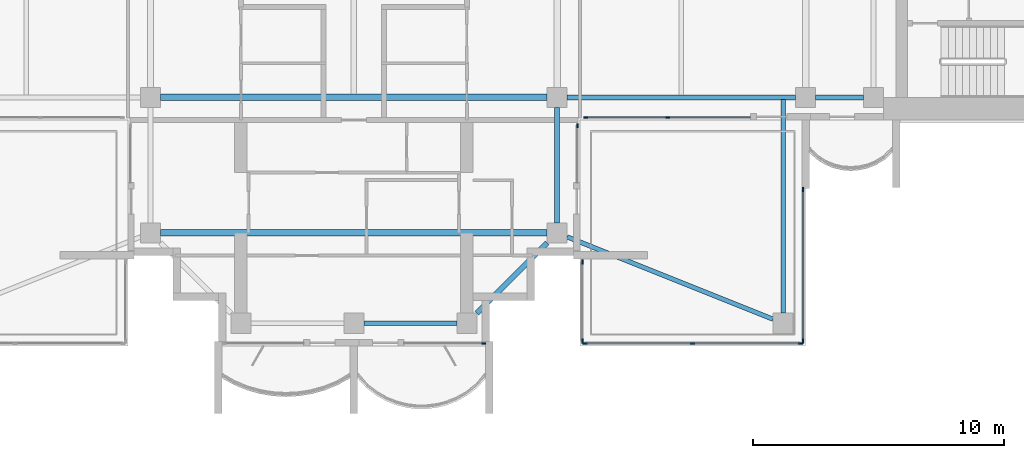
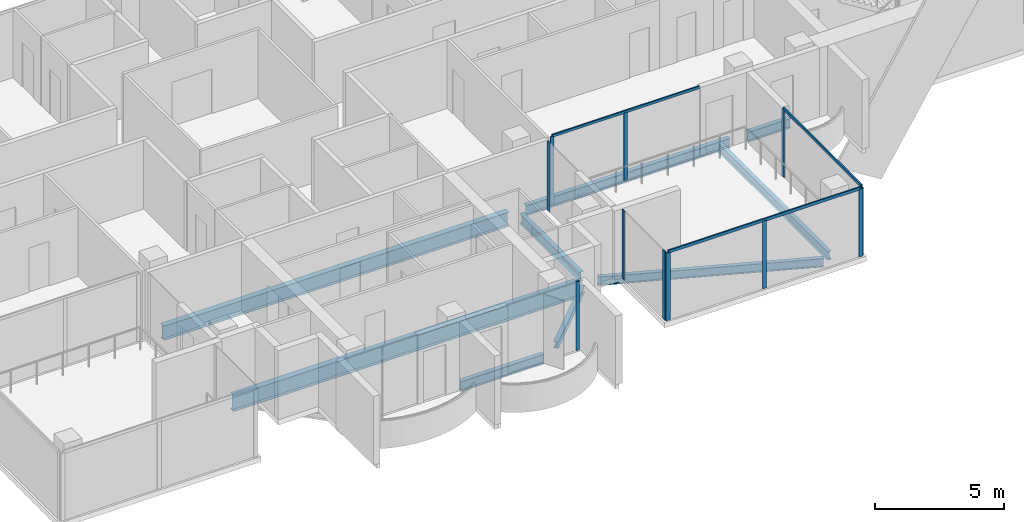
# One storey, part 3 of 16: 14 members, 9 beams, 6 elements without a shape of their own.
"""IFC4 building model written with IfcOpenShell, lengths in metres."""

from ifc_helpers import new_model, si_unit, direction, frame, origin, origin_2d, place, context, subcontext, project, spatial, rectangle, i_section, extrude, material, material_profile, profile_set, type_object, element, aggregate, save


model = new_model("IFC4")

# Units and contexts
model_context = context("Model", 3, precision=1e-05, world=origin(), true_north=direction((0.0, 1.0)))
body_context = subcontext(model_context, "Body", "Model", "MODEL_VIEW")
ifc_project = project(units=[si_unit("LENGTHUNIT", "METRE"), si_unit("AREAUNIT", "SQUARE_METRE"), si_unit("VOLUMEUNIT", "CUBIC_METRE"), si_unit("PLANEANGLEUNIT", "RADIAN"), si_unit("MASSUNIT", "GRAM", prefix="KILO")], contexts=[model_context])

# Site, building, storey
site_placement = place(None, origin())
site = spatial("IfcSite", under=ifc_project, at=site_placement, CompositionType="ELEMENT")
building_placement = place(site_placement, origin())
building = spatial("IfcBuilding", under=site, at=building_placement, Name="Perihelion Cross Residences", CompositionType="ELEMENT")
storey_placement = place(building_placement, frame((0.0, 0.0, 239.5)))
storey = spatial("IfcBuildingStorey", under=building, at=storey_placement, Name="L60", CompositionType="ELEMENT", Elevation=239.5)

# Curtain wall, member
ifc_material_1 = material(Name="Bronze anodised aluminium, tinted glazing", Category="aluminium")
curtain_wall_type_1 = type_object("IfcCurtainWallType", Name="CW1", PredefinedType="NOTDEFINED", material=ifc_material_1)
curtain_wall_1_placement = place(storey_placement, origin())
curtain_wall_1 = element("IfcCurtainWall", 1, at=curtain_wall_1_placement, inside=storey, type_object=curtain_wall_type_1, Name="Curtain wall CW1 L60 south tip south bay 2", PredefinedType="NOTDEFINED")
ifc_material_2 = material(Name="Bronze anodised aluminium", Category="aluminium")
ifc_material_profile_1 = material_profile(ifc_material_2, rectangle(XDim=0.06005859375, YDim=0.159912109375, at=origin_2d()), Name="CW1 mullion")
ifc_profile_set_1 = profile_set([ifc_material_profile_1], Name="Bronze anodised aluminium")
member_type_1 = type_object("IfcMemberType", Name="CW1 mullion", PredefinedType="MULLION", material=ifc_profile_set_1)
member_1_placement = place(storey_placement, frame((5.169921875, -17.89990234375, 0.0), z_axis=(0.0, 0.0, 1.0), x_axis=(0.0, 1.0, 0.0)))
member_1 = element("IfcMember", 2, at=member_1_placement, type_object=member_type_1, Name="CW1 mullion 2", PredefinedType="MULLION", context=body_context, shape_type="SweptSolid", body=[
    extrude(rectangle(XDim=0.06005859375, YDim=0.159912109375, at=origin_2d()), origin(), (0.0, 0.0, 1.0), 3.25),
])
aggregate(curtain_wall_1, [member_1])

curtain_wall_2_placement = place(storey_placement, origin())
curtain_wall_2 = element("IfcCurtainWall", 3, at=curtain_wall_2_placement, inside=storey, type_object=curtain_wall_type_1, Name="Curtain wall CW1 L60 south side east bay 1", PredefinedType="NOTDEFINED")
member_2_placement = place(storey_placement, frame((8.89990234375, -9.22998046875, 0.0), z_axis=(0.0, 0.0, 1.0), x_axis=(-1.0, 0.0, 0.0)))
member_2 = element("IfcMember", 4, at=member_2_placement, type_object=member_type_1, Name="CW1 mullion 2", PredefinedType="MULLION", context=body_context, shape_type="SweptSolid", body=[
    extrude(rectangle(XDim=0.06005859375, YDim=0.159912109375, at=origin_2d()), origin(), (0.0, 0.0, 1.0), 3.25),
])
aggregate(curtain_wall_2, [member_2])

# Curtain wall, members
curtain_wall_3_placement = place(storey_placement, origin())
curtain_wall_3 = element("IfcCurtainWall", 5, at=curtain_wall_3_placement, inside=storey, type_object=curtain_wall_type_1, Name="Curtain wall CW1 L60 east side south bay 1", PredefinedType="NOTDEFINED")
member_3_placement = place(storey_placement, frame((9.22998046875, -8.89990234375, 0.0), z_axis=(0.0, 0.0, 1.0), x_axis=(0.0, 1.0, 0.0)))
member_3 = element("IfcMember", 6, at=member_3_placement, type_object=member_type_1, Name="CW1 mullion 1", PredefinedType="MULLION", context=body_context, shape_type="SweptSolid", body=[
    extrude(rectangle(XDim=0.06005859375, YDim=0.159912109375, at=origin_2d()), origin(), (0.0, 0.0, 1.0), 3.18994140625),
])
member_4_placement = place(storey_placement, frame((12.5, -8.89990234375, 0.0), z_axis=(0.0, 0.0, 1.0), x_axis=(0.0, 1.0, 0.0)))
member_4 = element("IfcMember", 7, at=member_4_placement, type_object=member_type_1, Name="CW1 mullion 2", PredefinedType="MULLION", context=body_context, shape_type="SweptSolid", body=[
    extrude(rectangle(XDim=0.06005859375, YDim=0.159912109375, at=origin_2d()), origin(), (0.0, 0.0, 1.0), 3.18994140625),
])
ifc_material_3 = material(Name="Bronze anodised aluminium", Category="aluminium")
ifc_material_profile_2 = material_profile(ifc_material_3, rectangle(XDim=0.06005859375, YDim=0.1201171875, at=origin_2d()), Name="CW1 transom")
ifc_profile_set_2 = profile_set([ifc_material_profile_2], Name="Bronze anodised aluminium")
member_type_2 = type_object("IfcMemberType", Name="CW1 transom", PredefinedType="USERDEFINED", material=ifc_profile_set_2)
member_5_placement = place(storey_placement, frame((9.22998046875, -8.89990234375, 3.219970703125), z_axis=(1.0, 0.0, 0.0), x_axis=(0.0, 1.0, 0.0)))
member_5 = element("IfcMember", 8, at=member_5_placement, type_object=member_type_2, Name="CW1 head transom", ObjectType="TRANSOM", PredefinedType="USERDEFINED", context=body_context, shape_type="SweptSolid", body=[
    extrude(rectangle(XDim=0.06005859375, YDim=0.1201171875, at=origin_2d()), origin(), (0.0, 0.0, 1.0), 6.570068359375),
])
aggregate(curtain_wall_3, [member_3, member_4, member_5])

ifc_material_4 = material(Name="Bronze anodised aluminium, tinted glazing", Category="aluminium")
curtain_wall_type_2 = type_object("IfcCurtainWallType", Name="CW4", PredefinedType="NOTDEFINED", material=ifc_material_4)
curtain_wall_4_placement = place(storey_placement, origin())
curtain_wall_4 = element("IfcCurtainWall", 9, at=curtain_wall_4_placement, inside=storey, type_object=curtain_wall_type_2, Name="Curtain wall CW4 L60 pocket south-east 1 1", PredefinedType="NOTDEFINED")
ifc_material_5 = material(Name="Bronze anodised aluminium", Category="aluminium")
ifc_material_profile_3 = material_profile(ifc_material_5, rectangle(XDim=0.06005859375, YDim=0.179931640625, at=origin_2d()), Name="CW4 mullion")
ifc_profile_set_3 = profile_set([ifc_material_profile_3], Name="Bronze anodised aluminium")
member_type_3 = type_object("IfcMemberType", Name="CW4 mullion", PredefinedType="MULLION", material=ifc_profile_set_3)
member_6_placement = place(storey_placement, frame((17.89990234375, -11.77001953125, 0.0), z_axis=(0.0, 0.0, 1.0), x_axis=(1.0, 0.0, 0.0)))
member_6 = element("IfcMember", 10, at=member_6_placement, type_object=member_type_3, Name="CW4 mullion 1", PredefinedType="MULLION", context=body_context, shape_type="SweptSolid", body=[
    extrude(rectangle(XDim=0.06005859375, YDim=0.179931640625, at=origin_2d()), origin(), (0.0, 0.0, 1.0), 3.18994140625),
])
member_7_placement = place(storey_placement, frame((17.89990234375, -17.800048828125, 0.0), z_axis=(0.0, 0.0, 1.0), x_axis=(1.0, 0.0, 0.0)))
member_7 = element("IfcMember", 11, at=member_7_placement, type_object=member_type_3, Name="CW4 mullion 2", PredefinedType="MULLION", context=body_context, shape_type="SweptSolid", body=[
    extrude(rectangle(XDim=0.06005859375, YDim=0.179931640625, at=origin_2d()), origin(), (0.0, 0.0, 1.0), 3.18994140625),
])

curtain_wall_5_placement = place(storey_placement, origin())
curtain_wall_5 = element("IfcCurtainWall", 12, at=curtain_wall_5_placement, inside=storey, type_object=curtain_wall_type_2, Name="Curtain wall CW4 L60 pocket south-east 1 2", PredefinedType="NOTDEFINED")
member_8_placement = place(storey_placement, frame((17.800048828125, -17.89990234375, 0.0), z_axis=(0.0, 0.0, 1.0), x_axis=(0.0, -1.0, 0.0)))
member_8 = element("IfcMember", 13, at=member_8_placement, type_object=member_type_3, Name="CW4 mullion 1", PredefinedType="MULLION", context=body_context, shape_type="SweptSolid", body=[
    extrude(rectangle(XDim=0.06005859375, YDim=0.179931640625, at=origin_2d()), origin(), (0.0, 0.0, 1.0), 3.18994140625),
])
member_9_placement = place(storey_placement, frame((13.5, -17.89990234375, 0.0), z_axis=(0.0, 0.0, 1.0), x_axis=(0.0, -1.0, 0.0)))
member_9 = element("IfcMember", 14, at=member_9_placement, type_object=member_type_3, Name="CW4 mullion 2", PredefinedType="MULLION", context=body_context, shape_type="SweptSolid", body=[
    extrude(rectangle(XDim=0.06005859375, YDim=0.179931640625, at=origin_2d()), origin(), (0.0, 0.0, 1.0), 3.18994140625),
])
member_10_placement = place(storey_placement, frame((9.199951171875, -17.89990234375, 0.0), z_axis=(0.0, 0.0, 1.0), x_axis=(0.0, -1.0, 0.0)))
member_10 = element("IfcMember", 15, at=member_10_placement, type_object=member_type_3, Name="CW4 mullion 3", PredefinedType="MULLION", context=body_context, shape_type="SweptSolid", body=[
    extrude(rectangle(XDim=0.06005859375, YDim=0.179931640625, at=origin_2d()), origin(), (0.0, 0.0, 1.0), 3.18994140625),
])

curtain_wall_6_placement = place(storey_placement, origin())
curtain_wall_6 = element("IfcCurtainWall", 16, at=curtain_wall_6_placement, inside=storey, type_object=curtain_wall_type_2, Name="Curtain wall CW4 L60 pocket south-east 1 3", PredefinedType="NOTDEFINED")
member_11_placement = place(storey_placement, frame((9.10009765625, -17.800048828125, 0.0), z_axis=(0.0, 0.0, 1.0), x_axis=(-1.0, 0.0, 0.0)))
member_11 = element("IfcMember", 17, at=member_11_placement, type_object=member_type_3, Name="CW4 mullion 1", PredefinedType="MULLION", context=body_context, shape_type="SweptSolid", body=[
    extrude(rectangle(XDim=0.06005859375, YDim=0.179931640625, at=origin_2d()), origin(), (0.0, 0.0, 1.0), 3.25),
])
member_12_placement = place(storey_placement, frame((9.10009765625, -14.658935546875, 0.0), z_axis=(0.0, 0.0, 1.0), x_axis=(-1.0, 0.0, 0.0)))
member_12 = element("IfcMember", 18, at=member_12_placement, type_object=member_type_3, Name="CW4 mullion 2", PredefinedType="MULLION", context=body_context, shape_type="SweptSolid", body=[
    extrude(rectangle(XDim=0.06005859375, YDim=0.179931640625, at=origin_2d()), origin(), (0.0, 0.0, 1.0), 3.25),
])
aggregate(curtain_wall_6, [member_11, member_12])

# Member
ifc_material_6 = material(Name="Bronze anodised aluminium", Category="aluminium")
ifc_material_profile_4 = material_profile(ifc_material_6, rectangle(XDim=0.06005859375, YDim=0.139892578125, at=origin_2d()), Name="CW4 transom")
ifc_profile_set_4 = profile_set([ifc_material_profile_4], Name="Bronze anodised aluminium")
member_type_4 = type_object("IfcMemberType", Name="CW4 transom", PredefinedType="USERDEFINED", material=ifc_profile_set_4)
member_13_placement = place(storey_placement, frame((17.89990234375, -11.77001953125, 3.219970703125), z_axis=(0.0, -1.0, 0.0), x_axis=(1.0, 0.0, 0.0)))
member_13 = element("IfcMember", 19, at=member_13_placement, type_object=member_type_4, Name="CW4 head transom", ObjectType="TRANSOM", PredefinedType="USERDEFINED", context=body_context, shape_type="SweptSolid", body=[
    extrude(rectangle(XDim=0.06005859375, YDim=0.139892578125, at=origin_2d()), origin(), (0.0, 0.0, 1.0), 6.030029296875),
])

aggregate(curtain_wall_4, [member_6, member_7, member_13])

member_14_placement = place(storey_placement, frame((17.800048828125, -17.89990234375, 3.219970703125), z_axis=(-1.0, 0.0, 0.0), x_axis=(0.0, -1.0, 0.0)))
member_14 = element("IfcMember", 20, at=member_14_placement, type_object=member_type_4, Name="CW4 head transom", ObjectType="TRANSOM", PredefinedType="USERDEFINED", context=body_context, shape_type="SweptSolid", body=[
    extrude(rectangle(XDim=0.06005859375, YDim=0.139892578125, at=origin_2d()), origin(), (0.0, 0.0, 1.0), 8.60009765625),
])

aggregate(curtain_wall_5, [member_8, member_9, member_10, member_14])

# Beams
ifc_material_7 = material(Name="Steel S355", Category="steel")
ifc_material_profile_5 = material_profile(ifc_material_7, i_section(OverallWidth=0.177978515625, OverallDepth=0.406005859375, WebThickness=0.0078125, FlangeThickness=0.0126953125, at=origin_2d()), Name="W410x60")
ifc_profile_set_5 = profile_set([ifc_material_profile_5], Name="Steel S355")
beam_type_1 = type_object("IfcBeamType", Name="Core edge beam W410x60", PredefinedType="BEAM", material=ifc_profile_set_5)
beam_1_placement = place(storey_placement, frame((17.10009765625, -8.197021484375, -0.452880859375), z_axis=(0.0, -1.0, 0.0), x_axis=(1.0, 0.0, 0.0)))
element("IfcBeam", 21, at=beam_1_placement, inside=storey, type_object=beam_type_1, Name="Core edge beam TB2 L60 corner no. 3", PredefinedType="BEAM", context=body_context, shape_type="SweptSolid", body=[
    extrude(i_section(OverallWidth=0.177978515625, OverallDepth=0.406005859375, WebThickness=0.0078125, FlangeThickness=0.0126953125, at=origin_2d()), origin(), (0.0, 0.0, 1.0), 8.5029296875),
])
beam_2_placement = place(storey_placement, frame((8.5, -13.659912109375, -0.452880859375), z_axis=(0.928474784399, -0.371395442534, 0.0), x_axis=(0.371395442534, 0.928474784399, 0.0)))
element("IfcBeam", 22, at=beam_2_placement, inside=storey, type_object=beam_type_1, Name="Core edge beam TB2 L60 corner no. 4", PredefinedType="BEAM", context=body_context, shape_type="SweptSolid", body=[
    extrude(i_section(OverallWidth=0.177978515625, OverallDepth=0.406005859375, WebThickness=0.0078125, FlangeThickness=0.0126953125, at=origin_2d()), origin(), (0.0, 0.0, 1.0), 8.83154296875),
])
ifc_material_8 = material(Name="Steel S355", Category="steel")
ifc_material_profile_6 = material_profile(ifc_material_8, i_section(OverallWidth=0.194091796875, OverallDepth=0.469970703125, WebThickness=0.0126953125, FlangeThickness=0.0205078125, at=origin_2d()), Name="W460x106")
ifc_profile_set_6 = profile_set([ifc_material_profile_6], Name="Steel S355")
beam_type_2 = type_object("IfcBeamType", Name="Edge beam W460x106", PredefinedType="SPANDREL", material=ifc_profile_set_6)
beam_3_placement = place(storey_placement, frame((0.39990234375, -17.10009765625, -0.485107421875), z_axis=(1.0, 0.0, 0.0), x_axis=(0.0, 1.0, 0.0)))
element("IfcBeam", 23, at=beam_3_placement, inside=storey, type_object=beam_type_2, Name="Edge beam SB5 L60 no. 7", PredefinedType="SPANDREL", context=body_context, shape_type="SweptSolid", body=[
    extrude(i_section(OverallWidth=0.194091796875, OverallDepth=0.469970703125, WebThickness=0.0126953125, FlangeThickness=0.0205078125, at=origin_2d()), origin(), (0.0, 0.0, 1.0), 3.7001953125),
])
beam_4_placement = place(storey_placement, frame((8.10009765625, -13.10009765625, -0.485107421875), z_axis=(0.0, 1.0, 0.0), x_axis=(-1.0, 0.0, 0.0)))
element("IfcBeam", 24, at=beam_4_placement, inside=storey, type_object=beam_type_2, Name="Edge beam SB5 L60 no. 11", PredefinedType="SPANDREL", context=body_context, shape_type="SweptSolid", body=[
    extrude(i_section(OverallWidth=0.194091796875, OverallDepth=0.469970703125, WebThickness=0.0126953125, FlangeThickness=0.0205078125, at=origin_2d()), origin(), (0.0, 0.0, 1.0), 4.60009765625),
])
beam_5_placement = place(storey_placement, frame((8.5, -8.10009765625, -0.485107421875), z_axis=(1.0, 0.0, 0.0), x_axis=(0.0, 1.0, 0.0)))
element("IfcBeam", 25, at=beam_5_placement, inside=storey, type_object=beam_type_2, Name="Edge beam SB5 L60 no. 12", PredefinedType="SPANDREL", context=body_context, shape_type="SweptSolid", body=[
    extrude(i_section(OverallWidth=0.194091796875, OverallDepth=0.469970703125, WebThickness=0.0126953125, FlangeThickness=0.0205078125, at=origin_2d()), origin(), (0.0, 0.0, 1.0), 9.10009765625),
])
beam_6_placement = place(storey_placement, frame((18.39990234375, -8.10009765625, -0.485107421875), z_axis=(1.0, 0.0, 0.0), x_axis=(0.0, 1.0, 0.0)))
element("IfcBeam", 26, at=beam_6_placement, inside=storey, type_object=beam_type_2, Name="Edge beam SB5 L60 no. 8", PredefinedType="SPANDREL", context=body_context, shape_type="SweptSolid", body=[
    extrude(i_section(OverallWidth=0.194091796875, OverallDepth=0.469970703125, WebThickness=0.0126953125, FlangeThickness=0.0205078125, at=origin_2d()), origin(), (0.0, 0.0, 1.0), 1.900146484375),
])
ifc_material_9 = material(Name="Steel S355", Category="steel")
ifc_material_profile_7 = material_profile(ifc_material_9, i_section(OverallWidth=0.26708984375, OverallDepth=0.75390625, WebThickness=0.01318359375, FlangeThickness=0.01708984375, at=origin_2d()), Name="W760x147")
ifc_profile_set_7 = profile_set([ifc_material_profile_7], Name="Steel S355")
beam_type_3 = type_object("IfcBeamType", Name="Floor girder W760x147", PredefinedType="BEAM", material=ifc_profile_set_7)
beam_7_placement = place(storey_placement, frame((-7.699951171875, -13.5, -0.626953125), z_axis=(1.0, 0.0, 0.0), x_axis=(0.0, 1.0, 0.0)))
element("IfcBeam", 27, at=beam_7_placement, inside=storey, type_object=beam_type_3, Name="Girder G5 L60 no. 3", PredefinedType="BEAM", context=body_context, shape_type="SweptSolid", body=[
    extrude(i_section(OverallWidth=0.26708984375, OverallDepth=0.75390625, WebThickness=0.01318359375, FlangeThickness=0.01708984375, at=origin_2d()), origin(), (0.0, 0.0, 1.0), 15.39990234375),
])
ifc_material_10 = material(Name="Steel S355", Category="steel")
ifc_material_profile_8 = material_profile(ifc_material_10, i_section(OverallWidth=0.25390625, OverallDepth=0.677978515625, WebThickness=0.01171875, FlangeThickness=0.016357421875, at=origin_2d()), Name="W690x125")
ifc_profile_set_8 = profile_set([ifc_material_profile_8], Name="Steel S355")
beam_type_4 = type_object("IfcBeamType", Name="Hub ring girder W690x125", PredefinedType="BEAM", material=ifc_profile_set_8)
beam_8_placement = place(storey_placement, frame((-7.699951171875, -8.10009765625, -0.589111328125), z_axis=(1.0, 0.0, 0.0), x_axis=(0.0, 1.0, 0.0)))
element("IfcBeam", 28, at=beam_8_placement, inside=storey, type_object=beam_type_4, Name="Hub ring girder RG5 L60 no. 1", PredefinedType="BEAM", context=body_context, shape_type="SweptSolid", body=[
    extrude(i_section(OverallWidth=0.25390625, OverallDepth=0.677978515625, WebThickness=0.01171875, FlangeThickness=0.016357421875, at=origin_2d()), origin(), (0.0, 0.0, 1.0), 15.39990234375),
])
ifc_material_11 = material(Name="Steel S355", Category="steel")
ifc_material_profile_9 = material_profile(ifc_material_11, i_section(OverallWidth=0.202880859375, OverallDepth=0.302001953125, WebThickness=0.007568359375, FlangeThickness=0.01318359375, at=origin_2d()), Name="W310x60")
ifc_profile_set_9 = profile_set([ifc_material_profile_9], Name="Steel S355")
beam_type_5 = type_object("IfcBeamType", Name="Serration edge beam W310x60", PredefinedType="BEAM", material=ifc_profile_set_9)
beam_9_placement = place(storey_placement, frame((4.89990234375, -16.699951171875, -0.40087890625), z_axis=(0.707106781187, 0.707106781187, 0.0), x_axis=(-0.707106781187, 0.707106781187, 0.0)))
element("IfcBeam", 29, at=beam_9_placement, inside=storey, type_object=beam_type_5, Name="Serration edge beam EB5 L60 no. 2", PredefinedType="BEAM", context=body_context, shape_type="SweptSolid", body=[
    extrude(i_section(OverallWidth=0.202880859375, OverallDepth=0.302001953125, WebThickness=0.007568359375, FlangeThickness=0.01318359375, at=origin_2d()), origin(), (0.0, 0.0, 1.0), 3.9599609375),
])

save(model, "model.ifc")
